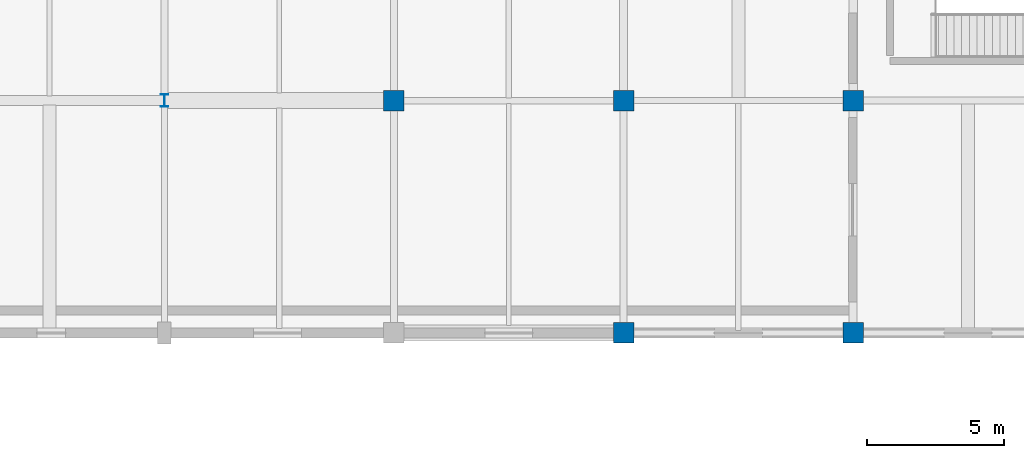
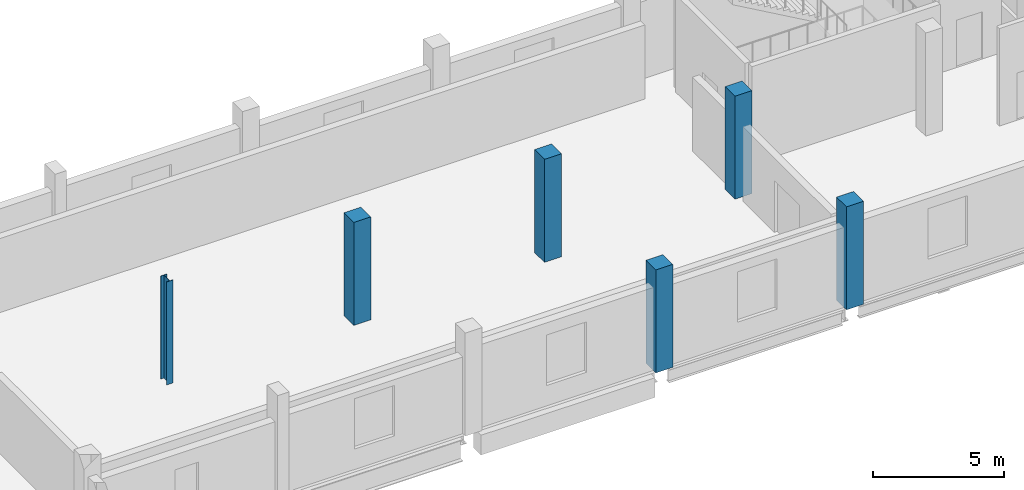
# One storey, part 2 of 77: 6 columns.
"""IFC4 building model written with IfcOpenShell, lengths in metres."""

from ifc_helpers import new_model, si_unit, direction, frame, origin, origin_2d, place, context, subcontext, project, spatial, rectangle, i_section, extrude, material, material_profile, profile_set, type_object, element, save


model = new_model("IFC4")

# Units and contexts
model_context = context("Model", 3, precision=1e-05, world=origin(), true_north=direction((0.0, 1.0)))
body_context = subcontext(model_context, "Body", "Model", "MODEL_VIEW")
ifc_project = project(units=[si_unit("LENGTHUNIT", "METRE"), si_unit("AREAUNIT", "SQUARE_METRE"), si_unit("VOLUMEUNIT", "CUBIC_METRE"), si_unit("PLANEANGLEUNIT", "RADIAN"), si_unit("MASSUNIT", "GRAM", prefix="KILO")], contexts=[model_context])

# Site, building, storey
site_placement = place(None, origin())
site = spatial("IfcSite", under=ifc_project, at=site_placement, CompositionType="ELEMENT")
building_placement = place(site_placement, origin())
building = spatial("IfcBuilding", under=site, at=building_placement, Name="Solvento Point Concert Hall", CompositionType="ELEMENT")
storey_placement = place(building_placement, frame((0.0, 0.0, 10.199951171875)))
storey = spatial("IfcBuildingStorey", under=building, at=storey_placement, Name="L02", CompositionType="ELEMENT", Elevation=10.199951171875)

# Columns
ifc_material_1 = material(Name="Concrete C40/50", Category="concrete")
ifc_material_profile_1 = material_profile(ifc_material_1, rectangle(XDim=0.75, YDim=0.75, at=origin_2d()), Name="RC-COL-750X750")
ifc_profile_set_1 = profile_set([ifc_material_profile_1], Name="Concrete C40/50")
column_type_1 = type_object("IfcColumnType", Name="Col_RC_750", PredefinedType="COLUMN", material=ifc_profile_set_1)
for number, where, z_axis, x_axis, name in (
    (1, (40.800048828125, 127.5, 0.0), (0.0, 0.0, 1.0), (1.0, 0.0, 0.0), "Column C-29 06/R L02"),
    (2, (49.199951171875, 119.0, 0.0), (0.0, 0.0, 1.0), (1.0, 0.0, 0.0), "Column C-29 07/Q L02"),
    (3, (49.199951171875, 127.5, 0.0), (0.0, 0.0, 1.0), (1.0, 0.0, 0.0), "Column C-29 07/R L02"),
    (4, (57.60009765625, 119.0, 0.0), (0.0, 0.0, 1.0), (1.0, 0.0, 0.0), "Column C-29 08/Q L02"),
    (5, (57.60009765625, 127.5, 0.0), (0.0, 0.0, 1.0), (1.0, 0.0, 0.0), "Column C-29 08/R L02"),
):
    element("IfcColumn", number, at=place(storey_placement, frame(where, z_axis=z_axis, x_axis=x_axis)), inside=storey, type_object=column_type_1, Name=name, PredefinedType="COLUMN", context=body_context, shape_type="SweptSolid", body=[
        extrude(rectangle(XDim=0.75, YDim=0.75, at=origin_2d()), origin(), (0.0, 0.0, 1.0), 4.800048828125),
    ])
ifc_material_2 = material(Name="Structural Steel ASTM A992 Grade 50", Category="steel")
ifc_material_profile_2 = material_profile(ifc_material_2, i_section(OverallWidth=0.279541015625, OverallDepth=0.462890625, WebThickness=0.0107421875, FlangeThickness=0.017333984375, at=origin_2d()), Name="W18X76")
ifc_profile_set_2 = profile_set([ifc_material_profile_2], Name="Structural Steel ASTM A992 Grade 50")
column_type_2 = type_object("IfcColumnType", Name="Pilaster_Steel_W18X76", PredefinedType="PILASTER", material=ifc_profile_set_2)
column_placement = place(storey_placement, frame((32.39990234375, 127.5, 0.0), z_axis=(0.0, 0.0, 1.0), x_axis=(1.0, 0.0, 0.0)))
element("IfcColumn", 6, at=column_placement, inside=storey, type_object=column_type_2, Name="Column C-80 05/R L02", PredefinedType="PILASTER", context=body_context, shape_type="SweptSolid", body=[
    extrude(i_section(OverallWidth=0.279541015625, OverallDepth=0.462890625, WebThickness=0.0107421875, FlangeThickness=0.017333984375, at=origin_2d()), origin(), (0.0, 0.0, 1.0), 4.800048828125),
])

save(model, "model.ifc")
